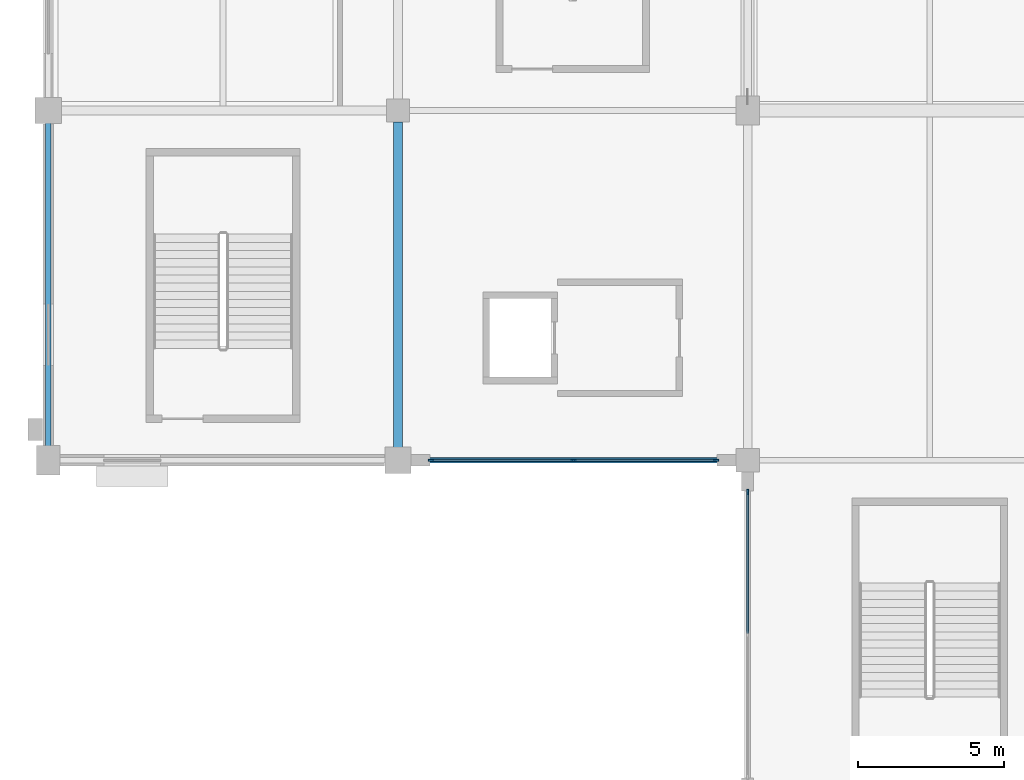
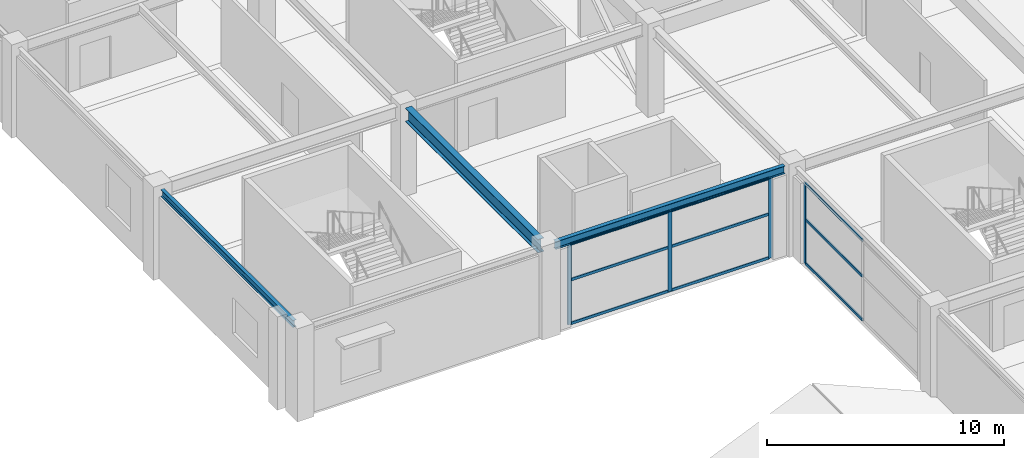
# One storey, part 8 of 134: 13 members, 3 beams, 2 elements without a shape of their own.
"""IFC4 building model written with IfcOpenShell, lengths in metres."""

from ifc_helpers import new_model, si_unit, direction, frame, origin, origin_2d, place, context, subcontext, project, spatial, rectangle, i_section, extrude, material, layer, layer_set, material_profile, profile_set, type_object, element, aggregate, save


model = new_model("IFC4")

# Units and contexts
model_context = context("Model", 3, precision=1e-05, world=origin(), true_north=direction((0.0, 1.0)))
body_context = subcontext(model_context, "Body", "Model", "MODEL_VIEW")
ifc_project = project(units=[si_unit("LENGTHUNIT", "METRE"), si_unit("AREAUNIT", "SQUARE_METRE"), si_unit("VOLUMEUNIT", "CUBIC_METRE"), si_unit("PLANEANGLEUNIT", "RADIAN"), si_unit("MASSUNIT", "GRAM", prefix="KILO")], contexts=[model_context])

# Site, building, storey
site_placement = place(None, origin())
site = spatial("IfcSite", under=ifc_project, at=site_placement, CompositionType="ELEMENT")
building_placement = place(site_placement, origin())
building = spatial("IfcBuilding", under=site, at=building_placement, Name="Kazenohara Klinker Stadium", CompositionType="ELEMENT")
storey_placement = place(building_placement, frame((0.0, 0.0, 5.39990234375)))
storey = spatial("IfcBuildingStorey", under=building, at=storey_placement, Name="L01", CompositionType="ELEMENT", Elevation=5.39990234375)

# Beams
ifc_material_1 = material(Name="Steel S355", Category="steel")
ifc_material_profile_1 = material_profile(ifc_material_1, i_section(OverallWidth=0.199951171875, OverallDepth=0.39990234375, WebThickness=0.008056640625, FlangeThickness=0.012939453125, FilletRadius=0.012939453125, at=origin_2d()), Name="H-400x200x8x13")
ifc_profile_set_1 = profile_set([ifc_material_profile_1], Name="Steel S355")
beam_type_1 = type_object("IfcBeamType", Name="BM-SPD01", PredefinedType="SPANDREL", material=ifc_profile_set_1)
beam_1_placement = place(storey_placement, frame((12.419921875, 36.0, 4.35009765625), z_axis=(1.0, 0.0, 0.0), x_axis=(0.0, 1.0, 0.0)))
element("IfcBeam", 1, at=beam_1_placement, inside=storey, type_object=beam_type_1, Name="Primary girder SP01 L01 2-3/D", PredefinedType="SPANDREL", context=body_context, shape_type="SweptSolid", body=[
    extrude(i_section(OverallWidth=0.199951171875, OverallDepth=0.39990234375, WebThickness=0.008056640625, FlangeThickness=0.012939453125, FilletRadius=0.012939453125, at=origin_2d()), origin(), (0.0, 0.0, 1.0), 11.18017578125),
])
ifc_material_profile_2 = material_profile(ifc_material_1, i_section(OverallWidth=0.175048828125, OverallDepth=0.35009765625, WebThickness=0.007080078125, FlangeThickness=0.010986328125, FilletRadius=0.012939453125, at=origin_2d()), Name="H-350x175x7x11")
ifc_profile_set_2 = profile_set([ifc_material_profile_2], Name="Steel S355")
beam_type_2 = type_object("IfcBeamType", Name="BM-SPD02", PredefinedType="SPANDREL", material=ifc_profile_set_2)
beam_2_placement = place(storey_placement, frame((0.0, 36.419921875, 4.375), z_axis=(0.0, 1.0, 0.0), x_axis=(-1.0, 0.0, 0.0)))
element("IfcBeam", 2, at=beam_2_placement, inside=storey, type_object=beam_type_2, Name="Primary girder SP02 L01 1/D-E", PredefinedType="SPANDREL", context=body_context, shape_type="SweptSolid", body=[
    extrude(i_section(OverallWidth=0.175048828125, OverallDepth=0.35009765625, WebThickness=0.007080078125, FlangeThickness=0.010986328125, FilletRadius=0.012939453125, at=origin_2d()), origin(), (0.0, 0.0, 1.0), 11.16015625),
])
ifc_material_profile_3 = material_profile(ifc_material_1, i_section(OverallWidth=0.300048828125, OverallDepth=0.699951171875, WebThickness=0.012939453125, FlangeThickness=0.02392578125, FilletRadius=0.02197265625, at=origin_2d()), Name="H-700x300x13x24")
ifc_profile_set_3 = profile_set([ifc_material_profile_3], Name="Steel S355")
beam_type_3 = type_object("IfcBeamType", Name="BM-ST03", PredefinedType="BEAM", material=ifc_profile_set_3)
beam_3_placement = place(storey_placement, frame((12.0, 36.419921875, 4.2001953125), z_axis=(0.0, 1.0, 0.0), x_axis=(-1.0, 0.0, 0.0)))
element("IfcBeam", 3, at=beam_3_placement, inside=storey, type_object=beam_type_3, Name="Primary girder SB03 L01 2/D-E", PredefinedType="BEAM", context=body_context, shape_type="SweptSolid", body=[
    extrude(i_section(OverallWidth=0.300048828125, OverallDepth=0.699951171875, WebThickness=0.012939453125, FlangeThickness=0.02392578125, FilletRadius=0.02197265625, at=origin_2d()), origin(), (0.0, 0.0, 1.0), 11.18017578125),
])

# Curtain wall, members
ifc_material_2 = material(Name="Anodised aluminium and triple glazing", Category="aluminium")
ifc_layer_1 = layer(ifc_material_2, 0.18994140625)
ifc_layer_set_1 = layer_set([ifc_layer_1], Name="Anodised aluminium and triple glazing")
curtain_wall_type_1 = type_object("IfcCurtainWallType", Name="CW-SYS-05", PredefinedType="USERDEFINED", material=ifc_layer_set_1)
curtain_wall_1_placement = place(storey_placement, origin())
curtain_wall_1 = element("IfcCurtainWall", 4, at=curtain_wall_1_placement, inside=storey, type_object=curtain_wall_type_1, Name="Unitised facade curtain wall CW05 L01 X1-3", ObjectType="UNITISED CURTAIN WALL", PredefinedType="USERDEFINED")
ifc_material_3 = material(Name="Anodised aluminium 6063-T6", Category="aluminium")
ifc_material_profile_4 = material_profile(ifc_material_3, rectangle(XDim=0.06494140625, YDim=0.179931640625, at=origin_2d()), Name="ALU-MUL-65x180")
ifc_profile_set_4 = profile_set([ifc_material_profile_4], Name="Anodised aluminium 6063-T6")
member_type_1 = type_object("IfcMemberType", Name="CW-MUL-180", PredefinedType="MULLION", material=ifc_profile_set_4)
member_1_placement = place(storey_placement, frame((13.136474609375, 36.0, 0.0), z_axis=(0.0, 0.0, 1.0), x_axis=(0.0, 1.0, 0.0)))
member_1 = element("IfcMember", 5, at=member_1_placement, type_object=member_type_1, Name="CW05 mullion 1", PredefinedType="MULLION", context=body_context, shape_type="SweptSolid", body=[
    extrude(rectangle(XDim=0.06494140625, YDim=0.179931640625, at=origin_2d()), origin(), (0.0, 0.0, 1.0), 4.150146484375),
])
member_2_placement = place(storey_placement, frame((18.02490234375, 36.0, 0.0), z_axis=(0.0, 0.0, 1.0), x_axis=(0.0, 1.0, 0.0)))
member_2 = element("IfcMember", 6, at=member_2_placement, type_object=member_type_1, Name="CW05 mullion 2", PredefinedType="MULLION", context=body_context, shape_type="SweptSolid", body=[
    extrude(rectangle(XDim=0.06494140625, YDim=0.179931640625, at=origin_2d()), origin(), (0.0, 0.0, 1.0), 4.150146484375),
])
member_3_placement = place(storey_placement, frame((22.91357421875, 36.0, 0.0), z_axis=(0.0, 0.0, 1.0), x_axis=(0.0, 1.0, 0.0)))
member_3 = element("IfcMember", 7, at=member_3_placement, type_object=member_type_1, Name="CW05 mullion 3", PredefinedType="MULLION", context=body_context, shape_type="SweptSolid", body=[
    extrude(rectangle(XDim=0.06494140625, YDim=0.179931640625, at=origin_2d()), origin(), (0.0, 0.0, 1.0), 4.150146484375),
])

# Curtain wall, member
ifc_layer_2 = layer(ifc_material_2, 0.179931640625)
ifc_layer_set_2 = layer_set([ifc_layer_2], Name="Anodised aluminium and triple glazing")
curtain_wall_type_2 = type_object("IfcCurtainWallType", Name="CW-SYS-02", PredefinedType="USERDEFINED", material=ifc_layer_set_2)
curtain_wall_2_placement = place(storey_placement, origin())
curtain_wall_2 = element("IfcCurtainWall", 8, at=curtain_wall_2_placement, inside=storey, type_object=curtain_wall_type_2, Name="Unitised facade curtain wall CW02 L01 Y2-2", ObjectType="UNITISED CURTAIN WALL", PredefinedType="USERDEFINED")
member_4_placement = place(storey_placement, frame((24.0, 34.91357421875, 0.0), z_axis=(0.0, 0.0, 1.0), x_axis=(-1.0, 0.0, 0.0)))
member_4 = element("IfcMember", 9, at=member_4_placement, type_object=member_type_1, Name="CW02 mullion 3", PredefinedType="MULLION", context=body_context, shape_type="SweptSolid", body=[
    extrude(rectangle(XDim=0.06494140625, YDim=0.179931640625, at=origin_2d()), origin(), (0.0, 0.0, 1.0), 4.150146484375),
])

# Member
ifc_material_profile_5 = material_profile(ifc_material_3, rectangle(XDim=0.06494140625, YDim=0.139892578125, at=origin_2d()), Name="ALU-TRN-65x140")
ifc_profile_set_5 = profile_set([ifc_material_profile_5], Name="Anodised aluminium 6063-T6")
member_type_2 = type_object("IfcMemberType", Name="CW-TRN-140", PredefinedType="USERDEFINED", material=ifc_profile_set_5)
member_5_placement = place(storey_placement, frame((13.1689453125, 36.0, 0.03271484375), z_axis=(1.0, 0.0, 0.0), x_axis=(0.0, 1.0, 0.0)))
member_5 = element("IfcMember", 10, at=member_5_placement, type_object=member_type_2, Name="CW05 transom 1.1", ObjectType="TRANSOM", PredefinedType="USERDEFINED", context=body_context, shape_type="SweptSolid", body=[
    extrude(rectangle(XDim=0.06494140625, YDim=0.139892578125, at=origin_2d()), origin(), (0.0, 0.0, 1.0), 4.823486328125),
])

member_6_placement = place(storey_placement, frame((13.1689453125, 36.0, 2.28271484375), z_axis=(1.0, 0.0, 0.0), x_axis=(0.0, 1.0, 0.0)))
member_6 = element("IfcMember", 11, at=member_6_placement, type_object=member_type_2, Name="CW05 transom 1.2", ObjectType="TRANSOM", PredefinedType="USERDEFINED", context=body_context, shape_type="SweptSolid", body=[
    extrude(rectangle(XDim=0.06494140625, YDim=0.139892578125, at=origin_2d()), origin(), (0.0, 0.0, 1.0), 4.823486328125),
])

member_7_placement = place(storey_placement, frame((13.1689453125, 36.0, 4.11767578125), z_axis=(1.0, 0.0, 0.0), x_axis=(0.0, 1.0, 0.0)))
member_7 = element("IfcMember", 12, at=member_7_placement, type_object=member_type_2, Name="CW05 transom 1.3", ObjectType="TRANSOM", PredefinedType="USERDEFINED", context=body_context, shape_type="SweptSolid", body=[
    extrude(rectangle(XDim=0.06494140625, YDim=0.139892578125, at=origin_2d()), origin(), (0.0, 0.0, 1.0), 4.823486328125),
])

member_8_placement = place(storey_placement, frame((18.0576171875, 36.0, 0.03271484375), z_axis=(1.0, 0.0, 0.0), x_axis=(0.0, 1.0, 0.0)))
member_8 = element("IfcMember", 13, at=member_8_placement, type_object=member_type_2, Name="CW05 transom 2.1", ObjectType="TRANSOM", PredefinedType="USERDEFINED", context=body_context, shape_type="SweptSolid", body=[
    extrude(rectangle(XDim=0.06494140625, YDim=0.139892578125, at=origin_2d()), origin(), (0.0, 0.0, 1.0), 4.823486328125),
])

member_9_placement = place(storey_placement, frame((18.0576171875, 36.0, 2.28271484375), z_axis=(1.0, 0.0, 0.0), x_axis=(0.0, 1.0, 0.0)))
member_9 = element("IfcMember", 14, at=member_9_placement, type_object=member_type_2, Name="CW05 transom 2.2", ObjectType="TRANSOM", PredefinedType="USERDEFINED", context=body_context, shape_type="SweptSolid", body=[
    extrude(rectangle(XDim=0.06494140625, YDim=0.139892578125, at=origin_2d()), origin(), (0.0, 0.0, 1.0), 4.823486328125),
])

member_10_placement = place(storey_placement, frame((18.0576171875, 36.0, 4.11767578125), z_axis=(1.0, 0.0, 0.0), x_axis=(0.0, 1.0, 0.0)))
member_10 = element("IfcMember", 15, at=member_10_placement, type_object=member_type_2, Name="CW05 transom 2.3", ObjectType="TRANSOM", PredefinedType="USERDEFINED", context=body_context, shape_type="SweptSolid", body=[
    extrude(rectangle(XDim=0.06494140625, YDim=0.139892578125, at=origin_2d()), origin(), (0.0, 0.0, 1.0), 4.823486328125),
])

aggregate(curtain_wall_1, [member_1, member_2, member_3, member_5, member_6, member_7, member_8, member_9, member_10])

member_11_placement = place(storey_placement, frame((24.0, 30.0576171875, 0.03271484375), z_axis=(0.0, 1.0, 0.0), x_axis=(-1.0, 0.0, 0.0)))
member_11 = element("IfcMember", 16, at=member_11_placement, type_object=member_type_2, Name="CW02 transom 2.1", ObjectType="TRANSOM", PredefinedType="USERDEFINED", context=body_context, shape_type="SweptSolid", body=[
    extrude(rectangle(XDim=0.06494140625, YDim=0.139892578125, at=origin_2d()), origin(), (0.0, 0.0, 1.0), 4.823486328125),
])

member_12_placement = place(storey_placement, frame((24.0, 30.0576171875, 2.28271484375), z_axis=(0.0, 1.0, 0.0), x_axis=(-1.0, 0.0, 0.0)))
member_12 = element("IfcMember", 17, at=member_12_placement, type_object=member_type_2, Name="CW02 transom 2.2", ObjectType="TRANSOM", PredefinedType="USERDEFINED", context=body_context, shape_type="SweptSolid", body=[
    extrude(rectangle(XDim=0.06494140625, YDim=0.139892578125, at=origin_2d()), origin(), (0.0, 0.0, 1.0), 4.823486328125),
])

member_13_placement = place(storey_placement, frame((24.0, 30.0576171875, 4.11767578125), z_axis=(0.0, 1.0, 0.0), x_axis=(-1.0, 0.0, 0.0)))
member_13 = element("IfcMember", 18, at=member_13_placement, type_object=member_type_2, Name="CW02 transom 2.3", ObjectType="TRANSOM", PredefinedType="USERDEFINED", context=body_context, shape_type="SweptSolid", body=[
    extrude(rectangle(XDim=0.06494140625, YDim=0.139892578125, at=origin_2d()), origin(), (0.0, 0.0, 1.0), 4.823486328125),
])

aggregate(curtain_wall_2, [member_4, member_11, member_12, member_13])

save(model, "model.ifc")
